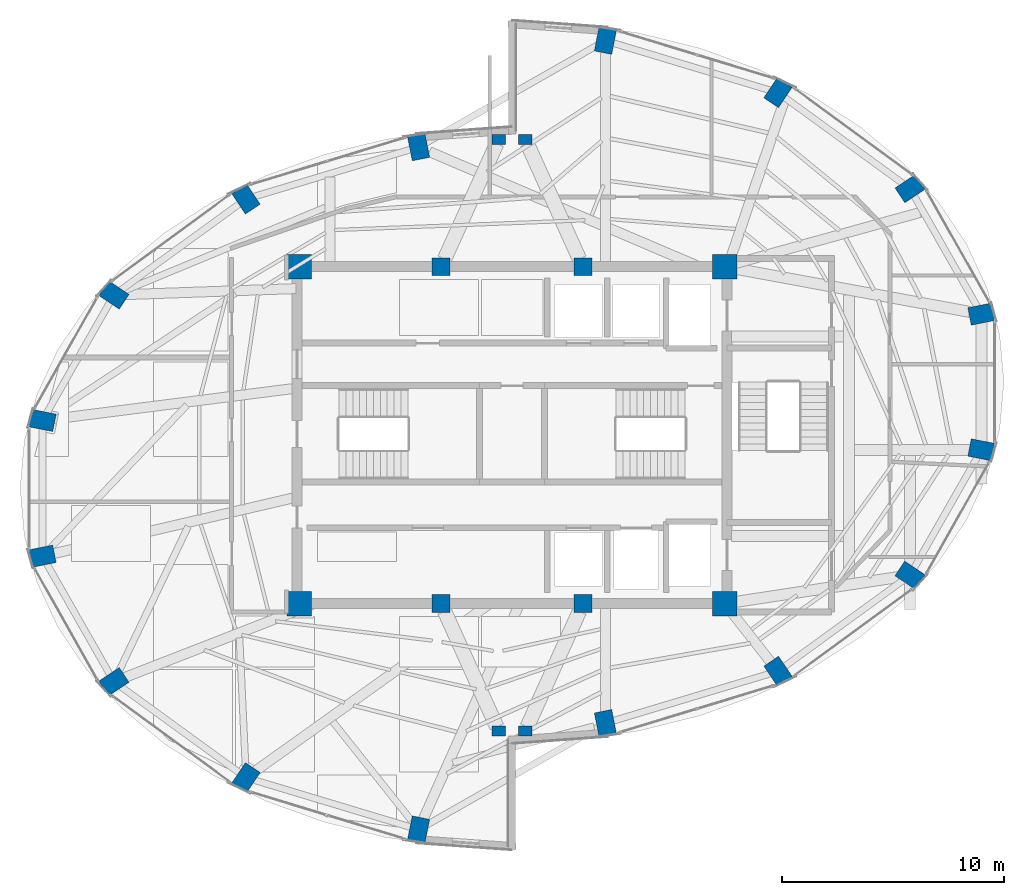
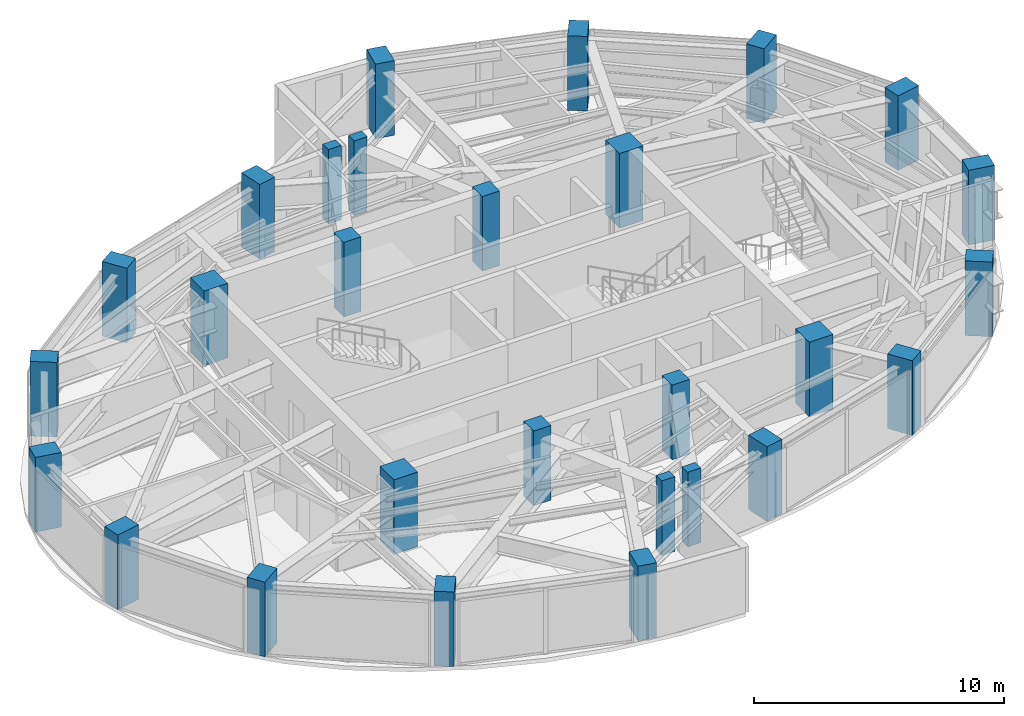
# One storey, part 1 of 23: 28 columns.
"""IFC4 building model written with IfcOpenShell, lengths in metres."""

from ifc_helpers import new_model, si_unit, direction, frame, origin, origin_2d, place, context, subcontext, project, spatial, rectangle, extrude, material, material_profile, profile_set, type_object, element, save


model = new_model("IFC4")

# Units and contexts
model_context = context("Model", 3, precision=1e-05, world=origin(), true_north=direction((0.0, 1.0)))
body_context = subcontext(model_context, "Body", "Model", "MODEL_VIEW")
ifc_project = project(units=[si_unit("LENGTHUNIT", "METRE"), si_unit("AREAUNIT", "SQUARE_METRE"), si_unit("VOLUMEUNIT", "CUBIC_METRE"), si_unit("PLANEANGLEUNIT", "RADIAN"), si_unit("MASSUNIT", "GRAM", prefix="KILO")], contexts=[model_context])

# Site, building, storey
site_placement = place(None, origin())
site = spatial("IfcSite", under=ifc_project, at=site_placement, CompositionType="ELEMENT")
building_placement = place(site_placement, origin())
building = spatial("IfcBuilding", under=site, at=building_placement, Name="Lazwardi Medical Tower", CompositionType="ELEMENT")
storey_placement = place(building_placement, frame((0.0, 0.0, 265.968017578125)))
storey = spatial("IfcBuildingStorey", under=building, at=storey_placement, Name="L69", CompositionType="ELEMENT", Elevation=265.968017578125)

# Columns
ifc_material_1 = material(Name="Concrete C80/95", Category="concrete")
ifc_material_profile_1 = material_profile(ifc_material_1, rectangle(XDim=1.10009765625, YDim=1.10009765625, at=origin_2d()), Name="RC 1100x1100")
ifc_profile_set_1 = profile_set([ifc_material_profile_1], Name="Concrete C80/95")
column_type_1 = type_object("IfcColumnType", Name="COL-CC-L", PredefinedType="COLUMN", material=ifc_profile_set_1)
for number, where, z_axis, x_axis, name in (
    (1, (26.39990234375, 20.39990234375, 0.0), (0.0, 0.0, 1.0), (1.0, 0.0, 0.0), "Core column CC-01 CC1 L69"),
    (2, (45.60009765625, 20.39990234375, 0.0), (0.0, 0.0, 1.0), (1.0, 0.0, 0.0), "Core column CC-01 CC4 L69"),
    (3, (45.60009765625, 35.60009765625, 0.0), (0.0, 0.0, 1.0), (1.0, 0.0, 0.0), "Core column CC-01 CC5 L69"),
    (4, (26.39990234375, 35.60009765625, 0.0), (0.0, 0.0, 1.0), (1.0, 0.0, 0.0), "Core column CC-01 CC8 L69"),
):
    element("IfcColumn", number, at=place(storey_placement, frame(where, z_axis=z_axis, x_axis=x_axis)), inside=storey, type_object=column_type_1, Name=name, PredefinedType="COLUMN", context=body_context, shape_type="SweptSolid", body=[
        extrude(rectangle(XDim=1.10009765625, YDim=1.10009765625, at=origin_2d()), origin(), (0.0, 0.0, 1.0), 3.64794921875),
    ])
ifc_material_2 = material(Name="Concrete C60/75", Category="concrete")
ifc_material_profile_2 = material_profile(ifc_material_2, rectangle(XDim=0.800048828125, YDim=0.800048828125, at=origin_2d()), Name="RC 800x800")
ifc_profile_set_2 = profile_set([ifc_material_profile_2], Name="Concrete C60/75")
column_type_2 = type_object("IfcColumnType", Name="COL-CC-U", PredefinedType="COLUMN", material=ifc_profile_set_2)
for number, where, z_axis, x_axis, name in (
    (5, (32.800048828125, 20.39990234375, 0.0), (0.0, 0.0, 1.0), (1.0, 0.0, 0.0), "Core column CC-03 CC2 L69"),
    (6, (39.199951171875, 20.39990234375, 0.0), (0.0, 0.0, 1.0), (1.0, 0.0, 0.0), "Core column CC-03 CC3 L69"),
    (7, (39.199951171875, 35.60009765625, 0.0), (0.0, 0.0, 1.0), (1.0, 0.0, 0.0), "Core column CC-03 CC6 L69"),
    (8, (32.800048828125, 35.60009765625, 0.0), (0.0, 0.0, 1.0), (1.0, 0.0, 0.0), "Core column CC-03 CC7 L69"),
):
    element("IfcColumn", number, at=place(storey_placement, frame(where, z_axis=z_axis, x_axis=x_axis)), inside=storey, type_object=column_type_2, Name=name, PredefinedType="COLUMN", context=body_context, shape_type="SweptSolid", body=[
        extrude(rectangle(XDim=0.800048828125, YDim=0.800048828125, at=origin_2d()), origin(), (0.0, 0.0, 1.0), 3.64794921875),
    ])
ifc_material_profile_3 = material_profile(ifc_material_2, rectangle(XDim=1.10009765625, YDim=0.800048828125, at=origin_2d()), Name="CFT-RECT 1100x800")
ifc_profile_set_3 = profile_set([ifc_material_profile_3], Name="Concrete C60/75")
column_type_3 = type_object("IfcColumnType", Name="COL-MC-Z4", PredefinedType="COLUMN", material=ifc_profile_set_3)
for number, where, z_axis, x_axis, name in (
    (9, (40.214111328125, 15.001708984375, 0.0), (0.0, 0.0, 1.0), (0.195090322016, -0.980785280403, 0.0), "Mega column MC-06 M01 L69"),
    (10, (48.000244140625, 17.345947265625, 0.0), (0.0, 0.0, 1.0), (0.55557023302, -0.831469612303, 0.0), "Mega column MC-06 M02 L69"),
    (11, (53.959716796875, 21.677490234375, 0.0), (0.0, 0.0, 1.0), (0.831469612303, -0.55557023302, 0.0), "Mega column MC-06 M03 L69"),
    (12, (57.18505859375, 27.337158203125, 0.0), (0.0, 0.0, 1.0), (0.980785280403, -0.195090322016, 0.0), "Mega column MC-06 M04 L69"),
    (13, (57.18505859375, 33.462890625, 0.0), (0.0, 0.0, 1.0), (0.980785280403, 0.195090322016, 0.0), "Mega column MC-06 M05 L69"),
    (14, (53.959716796875, 39.12255859375, 0.0), (0.0, 0.0, 1.0), (0.831469612303, 0.55557023302, 0.0), "Mega column MC-06 M06 L69"),
    (15, (48.000244140625, 43.4541015625, 0.0), (0.0, 0.0, 1.0), (0.55557023302, 0.831469612303, 0.0), "Mega column MC-06 M07 L69"),
    (16, (40.214111328125, 45.79833984375, 0.0), (0.0, 0.0, 1.0), (0.195090322016, 0.980785280403, 0.0), "Mega column MC-06 M08 L69"),
    (17, (31.785888671875, 40.998291015625, 0.0), (0.0, 0.0, 1.0), (-0.195090322016, 0.980785280403, 0.0), "Mega column MC-06 M09 L69"),
    (18, (23.999755859375, 38.654052734375, 0.0), (0.0, 0.0, 1.0), (-0.55557023302, 0.831469612303, 0.0), "Mega column MC-06 M10 L69"),
    (19, (18.040283203125, 34.322509765625, 0.0), (0.0, 0.0, 1.0), (-0.831469612303, 0.55557023302, 0.0), "Mega column MC-06 M11 L69"),
    (20, (14.81494140625, 28.662841796875, 0.0), (0.0, 0.0, 1.0), (-0.980785280403, 0.195090322016, 0.0), "Mega column MC-06 M12 L69"),
    (21, (14.81494140625, 22.537109375, 0.0), (0.0, 0.0, 1.0), (-0.980785280403, -0.195090322016, 0.0), "Mega column MC-06 M13 L69"),
    (22, (18.040283203125, 16.87744140625, 0.0), (0.0, 0.0, 1.0), (-0.831469612303, -0.55557023302, 0.0), "Mega column MC-06 M14 L69"),
    (23, (23.999755859375, 12.5458984375, 0.0), (0.0, 0.0, 1.0), (-0.55557023302, -0.831469612303, 0.0), "Mega column MC-06 M15 L69"),
    (24, (31.785888671875, 10.20166015625, 0.0), (0.0, 0.0, 1.0), (-0.195090322016, -0.980785280403, 0.0), "Mega column MC-06 M16 L69"),
):
    element("IfcColumn", number, at=place(storey_placement, frame(where, z_axis=z_axis, x_axis=x_axis)), inside=storey, type_object=column_type_3, Name=name, PredefinedType="COLUMN", context=body_context, shape_type="SweptSolid", body=[
        extrude(rectangle(XDim=1.10009765625, YDim=0.800048828125, at=origin_2d()), origin(), (0.0, 0.0, 1.0), 3.64794921875),
    ])
ifc_material_profile_4 = material_profile(ifc_material_2, rectangle(XDim=0.60009765625, YDim=0.449951171875, at=origin_2d()), Name="RC 600x450")
ifc_profile_set_4 = profile_set([ifc_material_profile_4], Name="Concrete C60/75")
column_type_4 = type_object("IfcColumnType", Name="COL-PL-IW", PredefinedType="PILASTER", material=ifc_profile_set_4)
for number, where, z_axis, x_axis, name in (
    (25, (35.39990234375, 41.35009765625, 0.0), (0.0, 0.0, 1.0), (1.0, 0.0, 0.0), "Iwan pilaster column PL-C1 PL1 L69"),
    (26, (36.60009765625, 41.35009765625, 0.0), (0.0, 0.0, 1.0), (1.0, 0.0, 0.0), "Iwan pilaster column PL-C1 PL2 L69"),
    (27, (35.39990234375, 14.64990234375, 0.0), (0.0, 0.0, 1.0), (1.0, 0.0, 0.0), "Iwan pilaster column PL-C1 PL3 L69"),
    (28, (36.60009765625, 14.64990234375, 0.0), (0.0, 0.0, 1.0), (1.0, 0.0, 0.0), "Iwan pilaster column PL-C1 PL4 L69"),
):
    element("IfcColumn", number, at=place(storey_placement, frame(where, z_axis=z_axis, x_axis=x_axis)), inside=storey, type_object=column_type_4, Name=name, PredefinedType="PILASTER", context=body_context, shape_type="SweptSolid", body=[
        extrude(rectangle(XDim=0.60009765625, YDim=0.449951171875, at=origin_2d()), origin(), (0.0, 0.0, 1.0), 3.64794921875),
    ])

save(model, "model.ifc")
